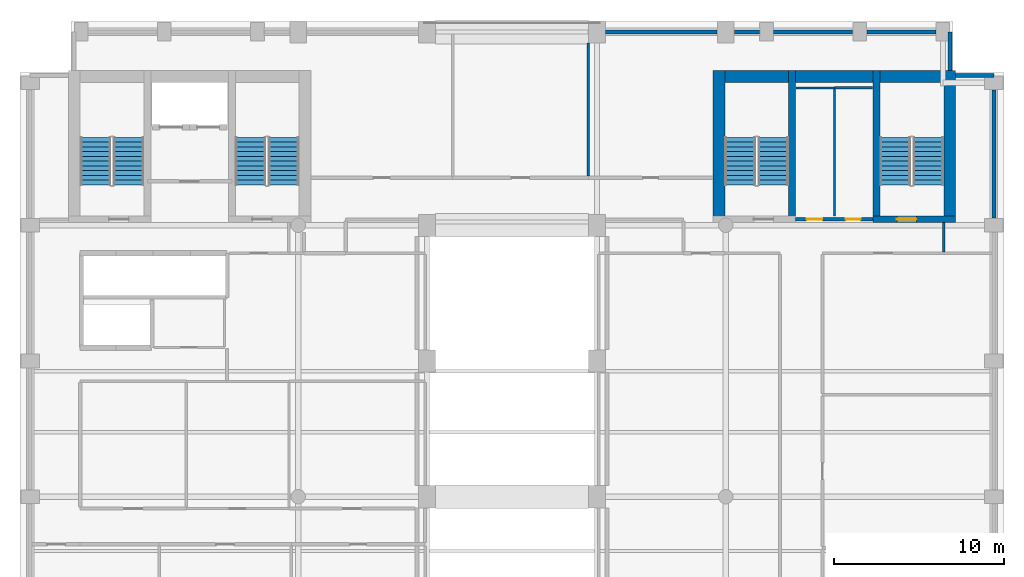
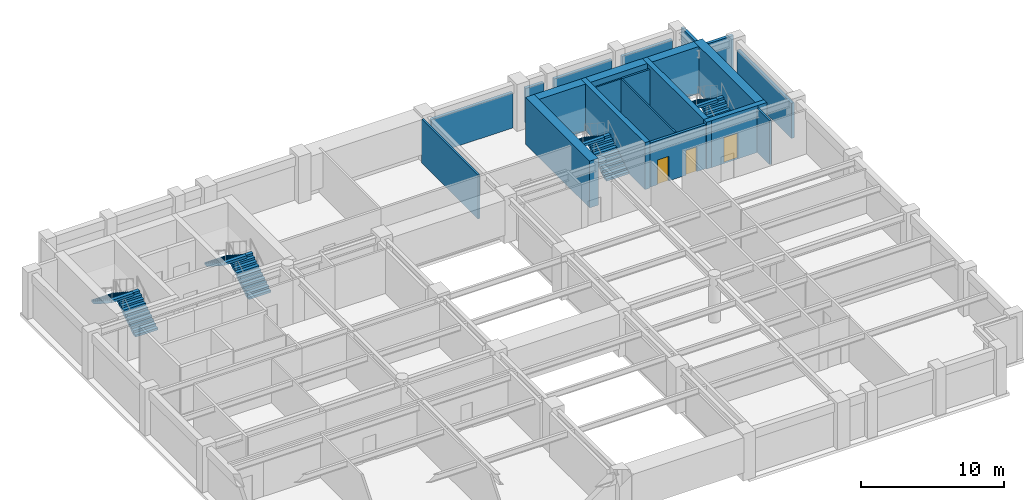
# One storey, part 5 of 7: 19 walls, 8 stair flights, 3 doors, 3 openings, 4 elements without a shape of their own.
"""IFC4 building model written with IfcOpenShell, lengths in metres."""

from ifc_helpers import new_model, si_unit, direction, frame, frame_2d, origin, place, context, subcontext, project, spatial, polyline, rectangle, outline, extrude, material, layer, layer_set, type_object, element, fill, aggregate, save


model = new_model("IFC4")

# Units and contexts
model_context = context("Model", 3, precision=1e-05, world=origin(), true_north=direction((0.0, 1.0)))
body_context = subcontext(model_context, "Body", "Model", "MODEL_VIEW")
ifc_project = project(units=[si_unit("LENGTHUNIT", "METRE"), si_unit("AREAUNIT", "SQUARE_METRE"), si_unit("VOLUMEUNIT", "CUBIC_METRE"), si_unit("PLANEANGLEUNIT", "RADIAN"), si_unit("MASSUNIT", "GRAM", prefix="KILO")], contexts=[model_context])

# Site, building, storey
site_placement = place(None, origin())
site = spatial("IfcSite", under=ifc_project, at=site_placement, CompositionType="ELEMENT")
building_placement = place(site_placement, origin())
building = spatial("IfcBuilding", under=site, at=building_placement, Name="Sulina Concourse Tower", CompositionType="ELEMENT")
storey_placement = place(building_placement, frame((0.0, 0.0, 198.60009765625)))
storey = spatial("IfcBuildingStorey", under=building, at=storey_placement, Name="L48", CompositionType="ELEMENT", Elevation=198.60009765625)

# Walls
ifc_material_1 = material(Name="Precast concrete C50/60", Category="concrete")
ifc_layer_1 = layer(ifc_material_1, 0.239990234375)
ifc_layer_set_1 = layer_set([ifc_layer_1], Name="Precast concrete C50/60")
wall_type_1 = type_object("IfcWallType", Name="Crown Precast Masonry-Frame Facade Wall 240mm", PredefinedType="SOLIDWALL", material=ifc_layer_set_1)
wall_1_placement = place(storey_placement, frame((34.52001953125, 45.39990234375, 0.0), z_axis=(0.0, 0.0, 1.0), x_axis=(1.0, 0.0, 0.0)))
element("IfcWall", 1, at=wall_1_placement, inside=storey, type_object=wall_type_1, Name="L48 exterior precast wall N6", PredefinedType="SOLIDWALL", context=body_context, shape_type="SweptSolid", body=[
    extrude(rectangle(XDim=6.56005859375, YDim=0.239990234375, at=frame_2d((3.280029296875, 0.0))), origin(), (0.0, 0.0, 1.0), 3.0),
])
wall_2_placement = place(storey_placement, frame((42.1201171875, 45.39990234375, 0.0), z_axis=(0.0, 0.0, 1.0), x_axis=(1.0, 0.0, 0.0)))
element("IfcWall", 2, at=wall_2_placement, inside=storey, type_object=wall_type_1, Name="L48 exterior precast wall N7", PredefinedType="SOLIDWALL", context=body_context, shape_type="SweptSolid", body=[
    extrude(rectangle(XDim=1.4599609375, YDim=0.239990234375, at=frame_2d((0.72998046875, 0.0))), origin(), (0.0, 0.0, 1.0), 3.0),
])
wall_3_placement = place(storey_placement, frame((44.419921875, 45.39990234375, 0.0), z_axis=(0.0, 0.0, 1.0), x_axis=(1.0, 0.0, 0.0)))
element("IfcWall", 3, at=wall_3_placement, inside=storey, type_object=wall_type_1, Name="L48 exterior precast wall N8", PredefinedType="SOLIDWALL", context=body_context, shape_type="SweptSolid", body=[
    extrude(rectangle(XDim=4.66015625, YDim=0.239990234375, at=frame_2d((2.330078125, 0.0))), origin(), (0.0, 0.0, 1.0), 3.0),
])
wall_4_placement = place(storey_placement, frame((49.919921875, 45.39990234375, 0.0), z_axis=(0.0, 0.0, 1.0), x_axis=(1.0, 0.0, 0.0)))
element("IfcWall", 4, at=wall_4_placement, inside=storey, type_object=wall_type_1, Name="L48 exterior precast wall N9", PredefinedType="SOLIDWALL", context=body_context, shape_type="SweptSolid", body=[
    extrude(rectangle(XDim=4.06005859375, YDim=0.239990234375, at=frame_2d((2.030029296875, 0.0))), origin(), (0.0, 0.0, 1.0), 3.0),
])
wall_5_placement = place(storey_placement, frame((57.39990234375, 41.97998046875, 0.0), z_axis=(0.0, 0.0, 1.0), x_axis=(0.0, -1.0, 0.0)))
element("IfcWall", 5, at=wall_5_placement, inside=storey, type_object=wall_type_1, Name="L48 exterior precast wall E5", PredefinedType="SOLIDWALL", context=body_context, shape_type="SweptSolid", body=[
    extrude(rectangle(XDim=7.56005859375, YDim=0.239990234375, at=frame_2d((3.780029296875, 0.0))), origin(), (0.0, 0.0, 1.0), 3.0),
])
wall_6_placement = place(storey_placement, frame((54.820068359375, 45.39990234375, 0.0), z_axis=(0.0, 0.0, 1.0), x_axis=(0.0, -1.0, 0.0)))
element("IfcWall", 6, at=wall_6_placement, inside=storey, type_object=wall_type_1, Name="L48 exterior precast wall CNE1", PredefinedType="SOLIDWALL", context=body_context, shape_type="SweptSolid", body=[
    extrude(rectangle(XDim=2.264892578125, YDim=0.239990234375, at=frame_2d((1.13232421875, 0.0))), origin(), (0.0, 0.0, 1.0), 3.75),
])
wall_7_placement = place(storey_placement, frame((55.155029296875, 42.820068359375, 0.0), z_axis=(0.0, 0.0, 1.0), x_axis=(1.0, 0.0, 0.0)))
element("IfcWall", 7, at=wall_7_placement, inside=storey, type_object=wall_type_1, Name="L48 exterior precast wall CNE2", PredefinedType="SOLIDWALL", context=body_context, shape_type="SweptSolid", body=[
    extrude(rectangle(XDim=2.244873046875, YDim=0.239990234375, at=frame_2d((1.12255859375, 0.0))), origin(), (0.0, 0.0, 1.0), 3.75),
])

# Wall, openings, doors
ifc_material_2 = material(Name="Gypsum board on steel stud", Category="steel")
ifc_layer_2 = layer(ifc_material_2, 0.219970703125)
ifc_layer_set_2 = layer_set([ifc_layer_2], Name="Gypsum board on steel stud")
wall_type_2 = type_object("IfcWallType", Name="Fire-Rated Lobby & Compartment Wall 220mm", PredefinedType="PARTITIONING", material=ifc_layer_set_2)
wall_8_placement = place(storey_placement, frame((45.719970703125, 34.35009765625, 0.0), z_axis=(0.0, 0.0, 1.0), x_axis=(1.0, 0.0, 0.0)))
wall_8 = element("IfcWall", 8, at=wall_8_placement, inside=storey, type_object=wall_type_2, Name="L48 east core south lobby wall", PredefinedType="PARTITIONING", context=body_context, shape_type="SweptSolid", body=[
    extrude(rectangle(XDim=4.56005859375, YDim=0.219970703125, at=frame_2d((2.280029296875, 0.0))), origin(), (0.0, 0.0, 1.0), 3.75),
])
opening_1_placement = place(wall_8_placement, frame((0.64990234375, 0.0, 0.0)))
opening_1 = element("IfcOpeningElement", 9, at=opening_1_placement, cuts=wall_8, Name="Opening DR-61", PredefinedType="OPENING", context=body_context, shape_type="SweptSolid", body=[
    extrude(rectangle(XDim=0.919921875, YDim=2.10009765625, at=frame_2d((0.4599609375, 1.050048828125))), frame((0.0, 0.119873046875, 0.0), z_axis=(0.0, -1.0, 0.0), x_axis=(1.0, 0.0, 0.0)), (0.0, 0.0, 1.0), 0.239990234375),
])
opening_2_placement = place(wall_8_placement, frame((2.949951171875, 0.0, 0.0)))
opening_2 = element("IfcOpeningElement", 10, at=opening_2_placement, cuts=wall_8, Name="Opening DR-38", PredefinedType="OPENING", context=body_context, shape_type="SweptSolid", body=[
    extrude(rectangle(XDim=0.8798828125, YDim=2.10009765625, at=frame_2d((0.43994140625, 1.050048828125))), frame((0.0, 0.119873046875, 0.0), z_axis=(0.0, -1.0, 0.0), x_axis=(1.0, 0.0, 0.0)), (0.0, 0.0, 1.0), 0.239990234375),
])
ifc_material_3 = material(Name="Oak-veneered fire door leaf")
ifc_layer_3 = layer(ifc_material_3, 0.050048828125)
ifc_layer_set_3 = layer_set([ifc_layer_3], Name="Oak-veneered fire door leaf")
door_type_1 = type_object("IfcDoorType", Name="Accessible WC Door 920x2100", OperationType="NOTDEFINED", PredefinedType="DOOR", material=ifc_layer_set_3)
door_1_placement = place(opening_1_placement, origin())
door_1 = element("IfcDoor", 11, at=door_1_placement, inside=storey, type_object=door_type_1, Name="L48 east core accessible wc door", OperationType="SINGLE_SWING_LEFT", OverallHeight=2.10009765625, OverallWidth=0.919921875, PredefinedType="DOOR", context=body_context, shape_type="SweptSolid", body=[
    extrude(rectangle(XDim=0.919921875, YDim=2.10009765625, at=frame_2d((0.4599609375, 1.050048828125))), frame((0.0, 0.02490234375, 0.0), z_axis=(0.0, -1.0, 0.0), x_axis=(1.0, 0.0, 0.0)), (0.0, 0.0, 1.0), 0.050048828125),
])
fill(opening_1, door_1)
ifc_material_4 = material(Name="Galvanised steel acoustic fire leaf", Category="steel")
ifc_layer_4 = layer(ifc_material_4, 0.050048828125)
ifc_layer_set_4 = layer_set([ifc_layer_4], Name="Galvanised steel acoustic fire leaf")
door_type_2 = type_object("IfcDoorType", Name="Service Riser Fire Door 880x2100", OperationType="NOTDEFINED", PredefinedType="DOOR", material=ifc_layer_set_4)
door_2_placement = place(opening_2_placement, origin())
door_2 = element("IfcDoor", 12, at=door_2_placement, inside=storey, type_object=door_type_2, Name="L48 east core store door", OperationType="SINGLE_SWING_RIGHT", OverallHeight=2.10009765625, OverallWidth=0.8798828125, PredefinedType="DOOR", context=body_context, shape_type="SweptSolid", body=[
    extrude(rectangle(XDim=0.8798828125, YDim=2.10009765625, at=frame_2d((0.43994140625, 1.050048828125))), frame((0.0, 0.02490234375, 0.0), z_axis=(0.0, -1.0, 0.0), x_axis=(1.0, 0.0, 0.0)), (0.0, 0.0, 1.0), 0.050048828125),
])
fill(opening_2, door_2)

# Walls
ifc_material_5 = material(Name="Gypsum board on steel stud", Category="steel")
ifc_layer_5 = layer(ifc_material_5, 0.14990234375)
ifc_layer_set_5 = layer_set([ifc_layer_5], Name="Gypsum board on steel stud")
wall_type_3 = type_object("IfcWallType", Name="Inter-Tenancy Acoustic Partition 150mm", PredefinedType="PARTITIONING", material=ifc_layer_set_5)
wall_9_placement = place(storey_placement, frame((48.0, 42.10009765625, 0.0), z_axis=(0.0, 0.0, 1.0), x_axis=(1.0, 0.0, 0.0)))
element("IfcWall", 13, at=wall_9_placement, inside=storey, type_object=wall_type_3, Name="L48 interior partition 033", PredefinedType="PARTITIONING", context=body_context, shape_type="SweptSolid", body=[
    extrude(rectangle(XDim=2.25, YDim=0.14990234375, at=frame_2d((1.125, 0.0))), origin(), (0.0, 0.0, 1.0), 3.75),
])
wall_10_placement = place(storey_placement, frame((33.5, 36.889892578125, 0.0), z_axis=(0.0, 0.0, 1.0), x_axis=(0.0, 1.0, 0.0)))
element("IfcWall", 14, at=wall_10_placement, inside=storey, type_object=wall_type_3, Name="L48 interior partition 050", PredefinedType="PARTITIONING", context=body_context, shape_type="SweptSolid", body=[
    extrude(rectangle(XDim=7.860107421875, YDim=0.14990234375, at=frame_2d((3.93017578125, 0.0))), origin(), (0.0, 0.0, 1.0), 3.75),
])
wall_11_placement = place(storey_placement, frame((54.449951171875, 32.425048828125, 0.0), z_axis=(0.0, 0.0, 1.0), x_axis=(0.0, 1.0, 0.0)))
element("IfcWall", 15, at=wall_11_placement, inside=storey, type_object=wall_type_3, Name="L48 interior partition 062", PredefinedType="PARTITIONING", context=body_context, shape_type="SweptSolid", body=[
    extrude(rectangle(XDim=1.724853515625, YDim=0.14990234375, at=frame_2d((0.8623046875, 0.0))), origin(), (0.0, 0.0, 1.0), 3.75),
])
ifc_material_6 = material(Name="Concrete C60/75", Category="concrete")
ifc_layer_6 = layer(ifc_material_6, 0.39990234375)
ifc_layer_set_6 = layer_set([ifc_layer_6], Name="Concrete C60/75")
wall_type_4 = type_object("IfcWallType", Name="Protected Stair Core Shear Wall 400mm", PredefinedType="SHEAR", material=ifc_layer_set_6)
wall_12_placement = place(storey_placement, frame((45.510009765625, 34.14990234375, 0.0), z_axis=(0.0, 0.0, 1.0), x_axis=(0.0, 1.0, 0.0)))
element("IfcWall", 16, at=wall_12_placement, inside=storey, type_object=wall_type_4, Name="L48 east core shear wall SW-ST3", PredefinedType="SHEAR", context=body_context, shape_type="SweptSolid", body=[
    extrude(rectangle(XDim=8.97998046875, YDim=0.39990234375, at=frame_2d((4.489990234375, 0.0))), origin(), (0.0, 0.0, 1.0), 4.0),
])

# Wall, opening, door
wall_13_placement = place(storey_placement, frame((50.2900390625, 34.35009765625, 0.0), z_axis=(0.0, 0.0, 1.0), x_axis=(1.0, 0.0, 0.0)))
wall_13 = element("IfcWall", 17, at=wall_13_placement, inside=storey, type_object=wall_type_4, Name="L48 east core shear wall CW-ES2", PredefinedType="SHEAR", context=body_context, shape_type="SweptSolid", body=[
    extrude(rectangle(XDim=4.85986328125, YDim=0.39990234375, at=frame_2d((2.429931640625, 0.0))), origin(), (0.0, 0.0, 1.0), 4.0),
])
opening_3_placement = place(wall_13_placement, frame((1.39990234375, 0.0, 0.0)))
opening_3 = element("IfcOpeningElement", 18, at=opening_3_placement, cuts=wall_13, Name="Opening DR-60", PredefinedType="OPENING", context=body_context, shape_type="SweptSolid", body=[
    extrude(rectangle(XDim=1.14990234375, YDim=2.199951171875, at=frame_2d((0.574951171875, 1.10009765625))), frame((0.0, 0.2099609375, 0.0), z_axis=(0.0, -1.0, 0.0), x_axis=(1.0, 0.0, 0.0)), (0.0, 0.0, 1.0), 0.419921875),
])
ifc_material_7 = material(Name="Galvanised steel acoustic fire leaf", Category="steel")
ifc_layer_7 = layer(ifc_material_7, 0.054931640625)
ifc_layer_set_7 = layer_set([ifc_layer_7], Name="Galvanised steel acoustic fire leaf")
door_type_3 = type_object("IfcDoorType", Name="Protected Exit Stair Fire Door 1150x2200", OperationType="NOTDEFINED", PredefinedType="DOOR", material=ifc_layer_set_7)
door_3_placement = place(opening_3_placement, origin())
door_3 = element("IfcDoor", 19, at=door_3_placement, inside=storey, type_object=door_type_3, Name="L48 stair ST-4 south lobby fire door", OperationType="SINGLE_SWING_LEFT", OverallHeight=2.199951171875, OverallWidth=1.14990234375, PredefinedType="DOOR", context=body_context, shape_type="SweptSolid", body=[
    extrude(rectangle(XDim=1.14990234375, YDim=2.199951171875, at=frame_2d((0.574951171875, 1.10009765625))), frame((0.0, 0.02490234375, 0.0), z_axis=(0.0, -1.0, 0.0), x_axis=(1.0, 0.0, 0.0)), (0.0, 0.0, 1.0), 0.050048828125),
])
fill(opening_3, door_3)

# Walls
wall_14_placement = place(storey_placement, frame((50.489990234375, 34.14990234375, 0.0), z_axis=(0.0, 0.0, 1.0), x_axis=(0.0, 1.0, 0.0)))
element("IfcWall", 20, at=wall_14_placement, inside=storey, type_object=wall_type_4, Name="L48 east core shear wall SW-ST4", PredefinedType="SHEAR", context=body_context, shape_type="SweptSolid", body=[
    extrude(rectangle(XDim=8.97998046875, YDim=0.39990234375, at=frame_2d((4.489990234375, 0.0))), origin(), (0.0, 0.0, 1.0), 4.0),
])
ifc_material_8 = material(Name="Concrete C60/75", Category="concrete")
ifc_layer_8 = layer(ifc_material_8, 0.699951171875)
ifc_layer_set_8 = layer_set([ifc_layer_8], Name="Concrete C60/75")
wall_type_5 = type_object("IfcWallType", Name="Rear Core Shear Wall 700mm", PredefinedType="SHEAR", material=ifc_layer_set_8)
wall_15_placement = place(storey_placement, frame((40.85009765625, 42.780029296875, 0.0), z_axis=(0.0, 0.0, 1.0), x_axis=(1.0, 0.0, 0.0)))
element("IfcWall", 21, at=wall_15_placement, inside=storey, type_object=wall_type_5, Name="L48 east core shear wall CW-EN", PredefinedType="SHEAR", context=body_context, shape_type="SweptSolid", body=[
    extrude(rectangle(XDim=14.2998046875, YDim=0.699951171875, at=frame_2d((7.14990234375, 0.0))), origin(), (0.0, 0.0, 1.0), 4.0),
])
for number, where, z_axis, x_axis, name in (
    (22, (41.199951171875, 34.14990234375, 0.0), (0.0, 0.0, 1.0), (0.0, 1.0, 0.0), "L48 east core shear wall CW-EW"),
    (23, (54.800048828125, 34.14990234375, 0.0), (0.0, 0.0, 1.0), (0.0, 1.0, 0.0), "L48 east core shear wall CW-EE"),
):
    element("IfcWall", number, at=place(storey_placement, frame(where, z_axis=z_axis, x_axis=x_axis)), inside=storey, type_object=wall_type_5, Name=name, PredefinedType="SHEAR", context=body_context, shape_type="SweptSolid", body=[
        extrude(rectangle(XDim=8.97998046875, YDim=0.699951171875, at=frame_2d((4.489990234375, 0.0))), origin(), (0.0, 0.0, 1.0), 4.0),
    ])
ifc_material_9 = material(Name="Gypsum board on steel stud", Category="steel")
ifc_layer_9 = layer(ifc_material_9, 0.125)
ifc_layer_set_9 = layer_set([ifc_layer_9], Name="Gypsum board on steel stud")
wall_type_6 = type_object("IfcWallType", Name="Wet-Area Moisture-Resistant Partition 125mm", PredefinedType="PARTITIONING", material=ifc_layer_set_9)
wall_16_placement = place(storey_placement, frame((45.75, 42.10009765625, 0.0), z_axis=(0.0, 0.0, 1.0), x_axis=(1.0, 0.0, 0.0)))
element("IfcWall", 24, at=wall_16_placement, inside=storey, type_object=wall_type_6, Name="L48 interior partition 032", PredefinedType="PARTITIONING", context=body_context, shape_type="SweptSolid", body=[
    extrude(rectangle(XDim=2.25, YDim=0.125, at=frame_2d((1.125, 0.0))), origin(), (0.0, 0.0, 1.0), 3.75),
])
wall_17_placement = place(storey_placement, frame((48.0, 34.550048828125, 0.0), z_axis=(0.0, 0.0, 1.0), x_axis=(0.0, 1.0, 0.0)))
element("IfcWall", 25, at=wall_17_placement, inside=storey, type_object=wall_type_6, Name="L48 interior partition 061", PredefinedType="PARTITIONING", context=body_context, shape_type="SweptSolid", body=[
    extrude(rectangle(XDim=7.474853515625, YDim=0.125, at=frame_2d((3.7373046875, 0.0))), origin(), (0.0, 0.0, 1.0), 3.75),
])

# Stair, stair flights
ifc_material_10 = material(Name="Concrete C50/60", Category="concrete")
stair_type_1 = type_object("IfcStairType", Name="Portal & Podium Core Exit Stair 1820mm", PredefinedType="HALF_TURN_STAIR", material=ifc_material_10)
stair_1_placement = place(storey_placement, origin())
stair_1 = element("IfcStair", 26, at=stair_1_placement, inside=storey, type_object=stair_type_1, Name="L48 ST-3", PredefinedType="HALF_TURN_STAIR")
ifc_material_11 = material(Name="Concrete C50/60", Category="concrete")
stair_flight_type_1 = type_object("IfcStairFlightType", Name="Portal & Podium Core Exit Stair 1820mm Flight", PredefinedType="STRAIGHT", material=ifc_material_11)
stair_flight_1_placement = place(storey_placement, frame((44.405029296875, 36.375, 0.0), z_axis=(0.0, 0.0, 1.0), x_axis=(0.0, 1.0, 0.0)))
stair_flight_1 = element("IfcStairFlight", 27, at=stair_flight_1_placement, type_object=stair_flight_type_1, Name="ST-3 flight 1", NumberOfRisers=11, NumberOfTreads=10, PredefinedType="STRAIGHT", RiserHeight=0.181818182, TreadLength=0.28, context=body_context, shape_type="SweptSolid", body=[
    extrude(outline(polyline([(0.0, 0.0), (0.0, 0.181884765625), (0.280029296875, 0.181884765625), (0.280029296875, 0.363525390625), (0.56005859375, 0.363525390625), (0.56005859375, 0.54541015625), (0.840087890625, 0.54541015625), (0.840087890625, 0.727294921875), (1.1201171875, 0.727294921875), (1.1201171875, 0.9091796875), (1.39990234375, 0.9091796875), (1.39990234375, 1.0908203125), (1.679931640625, 1.0908203125), (1.679931640625, 1.272705078125), (1.9599609375, 1.272705078125), (1.9599609375, 1.45458984375), (2.239990234375, 1.45458984375), (2.239990234375, 1.636474609375), (2.52001953125, 1.636474609375), (2.52001953125, 1.818115234375), (2.800048828125, 1.818115234375), (2.800048828125, 2.0), (2.800048828125, 1.603759765625), (0.330322265625, 0.0), (0.0, 0.0)])), frame((0.0, 0.89990234375, 0.0), z_axis=(0.0, -1.0, 0.0), x_axis=(1.0, 0.0, 0.0)), (0.0, 0.0, 1.0), 1.800048828125),
])
stair_flight_2_placement = place(storey_placement, frame((42.455078125, 39.175048828125, 2.0), z_axis=(0.0, 0.0, 1.0), x_axis=(0.0, -1.0, 0.0)))
stair_flight_2 = element("IfcStairFlight", 28, at=stair_flight_2_placement, type_object=stair_flight_type_1, Name="ST-3 flight 2", NumberOfRisers=11, NumberOfTreads=10, PredefinedType="STRAIGHT", RiserHeight=0.181818182, TreadLength=0.28, context=body_context, shape_type="SweptSolid", body=[
    extrude(outline(polyline([(0.0, 0.0), (0.0, 0.181884765625), (0.280029296875, 0.181884765625), (0.280029296875, 0.363525390625), (0.56005859375, 0.363525390625), (0.56005859375, 0.54541015625), (0.840087890625, 0.54541015625), (0.840087890625, 0.727294921875), (1.1201171875, 0.727294921875), (1.1201171875, 0.9091796875), (1.39990234375, 0.9091796875), (1.39990234375, 1.0908203125), (1.679931640625, 1.0908203125), (1.679931640625, 1.272705078125), (1.9599609375, 1.272705078125), (1.9599609375, 1.45458984375), (2.239990234375, 1.45458984375), (2.239990234375, 1.636474609375), (2.52001953125, 1.636474609375), (2.52001953125, 1.818115234375), (2.800048828125, 1.818115234375), (2.800048828125, 2.0), (2.800048828125, 1.603759765625), (0.330322265625, 0.0), (0.0, 0.0)])), frame((0.0, 0.89990234375, 0.0), z_axis=(0.0, -1.0, 0.0), x_axis=(1.0, 0.0, 0.0)), (0.0, 0.0, 1.0), 1.800048828125),
])
aggregate(stair_1, [stair_flight_1, stair_flight_2])

stair_2_placement = place(storey_placement, origin())
stair_2 = element("IfcStair", 29, at=stair_2_placement, inside=storey, type_object=stair_type_1, Name="L48 ST-4", PredefinedType="HALF_TURN_STAIR")
stair_flight_3_placement = place(storey_placement, frame((53.544921875, 36.375, 0.0), z_axis=(0.0, 0.0, 1.0), x_axis=(0.0, 1.0, 0.0)))
stair_flight_3 = element("IfcStairFlight", 30, at=stair_flight_3_placement, type_object=stair_flight_type_1, Name="ST-4 flight 1", NumberOfRisers=11, NumberOfTreads=10, PredefinedType="STRAIGHT", RiserHeight=0.181818182, TreadLength=0.28, context=body_context, shape_type="SweptSolid", body=[
    extrude(outline(polyline([(0.0, 0.0), (0.0, 0.181884765625), (0.280029296875, 0.181884765625), (0.280029296875, 0.363525390625), (0.56005859375, 0.363525390625), (0.56005859375, 0.54541015625), (0.840087890625, 0.54541015625), (0.840087890625, 0.727294921875), (1.1201171875, 0.727294921875), (1.1201171875, 0.9091796875), (1.39990234375, 0.9091796875), (1.39990234375, 1.0908203125), (1.679931640625, 1.0908203125), (1.679931640625, 1.272705078125), (1.9599609375, 1.272705078125), (1.9599609375, 1.45458984375), (2.239990234375, 1.45458984375), (2.239990234375, 1.636474609375), (2.52001953125, 1.636474609375), (2.52001953125, 1.818115234375), (2.800048828125, 1.818115234375), (2.800048828125, 2.0), (2.800048828125, 1.603759765625), (0.330322265625, 0.0), (0.0, 0.0)])), frame((0.0, 0.89990234375, 0.0), z_axis=(0.0, -1.0, 0.0), x_axis=(1.0, 0.0, 0.0)), (0.0, 0.0, 1.0), 1.800048828125),
])
stair_flight_4_placement = place(storey_placement, frame((51.594970703125, 39.175048828125, 2.0), z_axis=(0.0, 0.0, 1.0), x_axis=(0.0, -1.0, 0.0)))
stair_flight_4 = element("IfcStairFlight", 31, at=stair_flight_4_placement, type_object=stair_flight_type_1, Name="ST-4 flight 2", NumberOfRisers=11, NumberOfTreads=10, PredefinedType="STRAIGHT", RiserHeight=0.181818182, TreadLength=0.28, context=body_context, shape_type="SweptSolid", body=[
    extrude(outline(polyline([(0.0, 0.0), (0.0, 0.181884765625), (0.280029296875, 0.181884765625), (0.280029296875, 0.363525390625), (0.56005859375, 0.363525390625), (0.56005859375, 0.54541015625), (0.840087890625, 0.54541015625), (0.840087890625, 0.727294921875), (1.1201171875, 0.727294921875), (1.1201171875, 0.9091796875), (1.39990234375, 0.9091796875), (1.39990234375, 1.0908203125), (1.679931640625, 1.0908203125), (1.679931640625, 1.272705078125), (1.9599609375, 1.272705078125), (1.9599609375, 1.45458984375), (2.239990234375, 1.45458984375), (2.239990234375, 1.636474609375), (2.52001953125, 1.636474609375), (2.52001953125, 1.818115234375), (2.800048828125, 1.818115234375), (2.800048828125, 2.0), (2.800048828125, 1.603759765625), (0.330322265625, 0.0), (0.0, 0.0)])), frame((0.0, 0.89990234375, 0.0), z_axis=(0.0, -1.0, 0.0), x_axis=(1.0, 0.0, 0.0)), (0.0, 0.0, 1.0), 1.800048828125),
])
aggregate(stair_2, [stair_flight_3, stair_flight_4])

ifc_material_12 = material(Name="Concrete C50/60", Category="concrete")
stair_type_2 = type_object("IfcStairType", Name="Primary Core Dog-Leg Exit Stair 1800mm", PredefinedType="HALF_TURN_STAIR", material=ifc_material_12)
stair_3_placement = place(storey_placement, origin())
stair_3 = element("IfcStair", 32, at=stair_3_placement, inside=storey, type_object=stair_type_2, Name="L48 ST-1", PredefinedType="HALF_TURN_STAIR")
ifc_material_13 = material(Name="Concrete C50/60", Category="concrete")
stair_flight_type_2 = type_object("IfcStairFlightType", Name="Primary Core Dog-Leg Exit Stair 1800mm Flight", PredefinedType="STRAIGHT", material=ifc_material_13)
stair_flight_5_placement = place(storey_placement, frame((6.405029296875, 36.375, 0.0), z_axis=(0.0, 0.0, 1.0), x_axis=(0.0, 1.0, 0.0)))
stair_flight_5 = element("IfcStairFlight", 33, at=stair_flight_5_placement, type_object=stair_flight_type_2, Name="ST-1 flight 1", NumberOfRisers=11, NumberOfTreads=10, PredefinedType="STRAIGHT", RiserHeight=0.181818182, TreadLength=0.28, context=body_context, shape_type="SweptSolid", body=[
    extrude(outline(polyline([(0.0, 0.0), (0.0, 0.181884765625), (0.280029296875, 0.181884765625), (0.280029296875, 0.363525390625), (0.56005859375, 0.363525390625), (0.56005859375, 0.54541015625), (0.840087890625, 0.54541015625), (0.840087890625, 0.727294921875), (1.1201171875, 0.727294921875), (1.1201171875, 0.9091796875), (1.39990234375, 0.9091796875), (1.39990234375, 1.0908203125), (1.679931640625, 1.0908203125), (1.679931640625, 1.272705078125), (1.9599609375, 1.272705078125), (1.9599609375, 1.45458984375), (2.239990234375, 1.45458984375), (2.239990234375, 1.636474609375), (2.52001953125, 1.636474609375), (2.52001953125, 1.818115234375), (2.800048828125, 1.818115234375), (2.800048828125, 2.0), (2.800048828125, 1.603759765625), (0.330322265625, 0.0), (0.0, 0.0)])), frame((0.0, 0.89990234375, 0.0), z_axis=(0.0, -1.0, 0.0), x_axis=(1.0, 0.0, 0.0)), (0.0, 0.0, 1.0), 1.800048828125),
])
stair_flight_6_placement = place(storey_placement, frame((4.455078125, 39.175048828125, 2.0), z_axis=(0.0, 0.0, 1.0), x_axis=(0.0, -1.0, 0.0)))
stair_flight_6 = element("IfcStairFlight", 34, at=stair_flight_6_placement, type_object=stair_flight_type_2, Name="ST-1 flight 2", NumberOfRisers=11, NumberOfTreads=10, PredefinedType="STRAIGHT", RiserHeight=0.181818182, TreadLength=0.28, context=body_context, shape_type="SweptSolid", body=[
    extrude(outline(polyline([(0.0, 0.0), (0.0, 0.181884765625), (0.280029296875, 0.181884765625), (0.280029296875, 0.363525390625), (0.56005859375, 0.363525390625), (0.56005859375, 0.54541015625), (0.840087890625, 0.54541015625), (0.840087890625, 0.727294921875), (1.1201171875, 0.727294921875), (1.1201171875, 0.9091796875), (1.39990234375, 0.9091796875), (1.39990234375, 1.0908203125), (1.679931640625, 1.0908203125), (1.679931640625, 1.272705078125), (1.9599609375, 1.272705078125), (1.9599609375, 1.45458984375), (2.239990234375, 1.45458984375), (2.239990234375, 1.636474609375), (2.52001953125, 1.636474609375), (2.52001953125, 1.818115234375), (2.800048828125, 1.818115234375), (2.800048828125, 2.0), (2.800048828125, 1.603759765625), (0.330322265625, 0.0), (0.0, 0.0)])), frame((0.0, 0.89990234375, 0.0), z_axis=(0.0, -1.0, 0.0), x_axis=(1.0, 0.0, 0.0)), (0.0, 0.0, 1.0), 1.800048828125),
])
aggregate(stair_3, [stair_flight_5, stair_flight_6])

stair_4_placement = place(storey_placement, origin())
stair_4 = element("IfcStair", 35, at=stair_4_placement, inside=storey, type_object=stair_type_2, Name="L48 ST-2", PredefinedType="HALF_TURN_STAIR")
stair_flight_7_placement = place(storey_placement, frame((15.544921875, 36.375, 0.0), z_axis=(0.0, 0.0, 1.0), x_axis=(0.0, 1.0, 0.0)))
stair_flight_7 = element("IfcStairFlight", 36, at=stair_flight_7_placement, type_object=stair_flight_type_2, Name="ST-2 flight 1", NumberOfRisers=11, NumberOfTreads=10, PredefinedType="STRAIGHT", RiserHeight=0.181818182, TreadLength=0.28, context=body_context, shape_type="SweptSolid", body=[
    extrude(outline(polyline([(0.0, 0.0), (0.0, 0.181884765625), (0.280029296875, 0.181884765625), (0.280029296875, 0.363525390625), (0.56005859375, 0.363525390625), (0.56005859375, 0.54541015625), (0.840087890625, 0.54541015625), (0.840087890625, 0.727294921875), (1.1201171875, 0.727294921875), (1.1201171875, 0.9091796875), (1.39990234375, 0.9091796875), (1.39990234375, 1.0908203125), (1.679931640625, 1.0908203125), (1.679931640625, 1.272705078125), (1.9599609375, 1.272705078125), (1.9599609375, 1.45458984375), (2.239990234375, 1.45458984375), (2.239990234375, 1.636474609375), (2.52001953125, 1.636474609375), (2.52001953125, 1.818115234375), (2.800048828125, 1.818115234375), (2.800048828125, 2.0), (2.800048828125, 1.603759765625), (0.330322265625, 0.0), (0.0, 0.0)])), frame((0.0, 0.89990234375, 0.0), z_axis=(0.0, -1.0, 0.0), x_axis=(1.0, 0.0, 0.0)), (0.0, 0.0, 1.0), 1.800048828125),
])
stair_flight_8_placement = place(storey_placement, frame((13.594970703125, 39.175048828125, 2.0), z_axis=(0.0, 0.0, 1.0), x_axis=(0.0, -1.0, 0.0)))
stair_flight_8 = element("IfcStairFlight", 37, at=stair_flight_8_placement, type_object=stair_flight_type_2, Name="ST-2 flight 2", NumberOfRisers=11, NumberOfTreads=10, PredefinedType="STRAIGHT", RiserHeight=0.181818182, TreadLength=0.28, context=body_context, shape_type="SweptSolid", body=[
    extrude(outline(polyline([(0.0, 0.0), (0.0, 0.181884765625), (0.280029296875, 0.181884765625), (0.280029296875, 0.363525390625), (0.56005859375, 0.363525390625), (0.56005859375, 0.54541015625), (0.840087890625, 0.54541015625), (0.840087890625, 0.727294921875), (1.1201171875, 0.727294921875), (1.1201171875, 0.9091796875), (1.39990234375, 0.9091796875), (1.39990234375, 1.0908203125), (1.679931640625, 1.0908203125), (1.679931640625, 1.272705078125), (1.9599609375, 1.272705078125), (1.9599609375, 1.45458984375), (2.239990234375, 1.45458984375), (2.239990234375, 1.636474609375), (2.52001953125, 1.636474609375), (2.52001953125, 1.818115234375), (2.800048828125, 1.818115234375), (2.800048828125, 2.0), (2.800048828125, 1.603759765625), (0.330322265625, 0.0), (0.0, 0.0)])), frame((0.0, 0.89990234375, 0.0), z_axis=(0.0, -1.0, 0.0), x_axis=(1.0, 0.0, 0.0)), (0.0, 0.0, 1.0), 1.800048828125),
])
aggregate(stair_4, [stair_flight_7, stair_flight_8])

save(model, "model.ifc")
